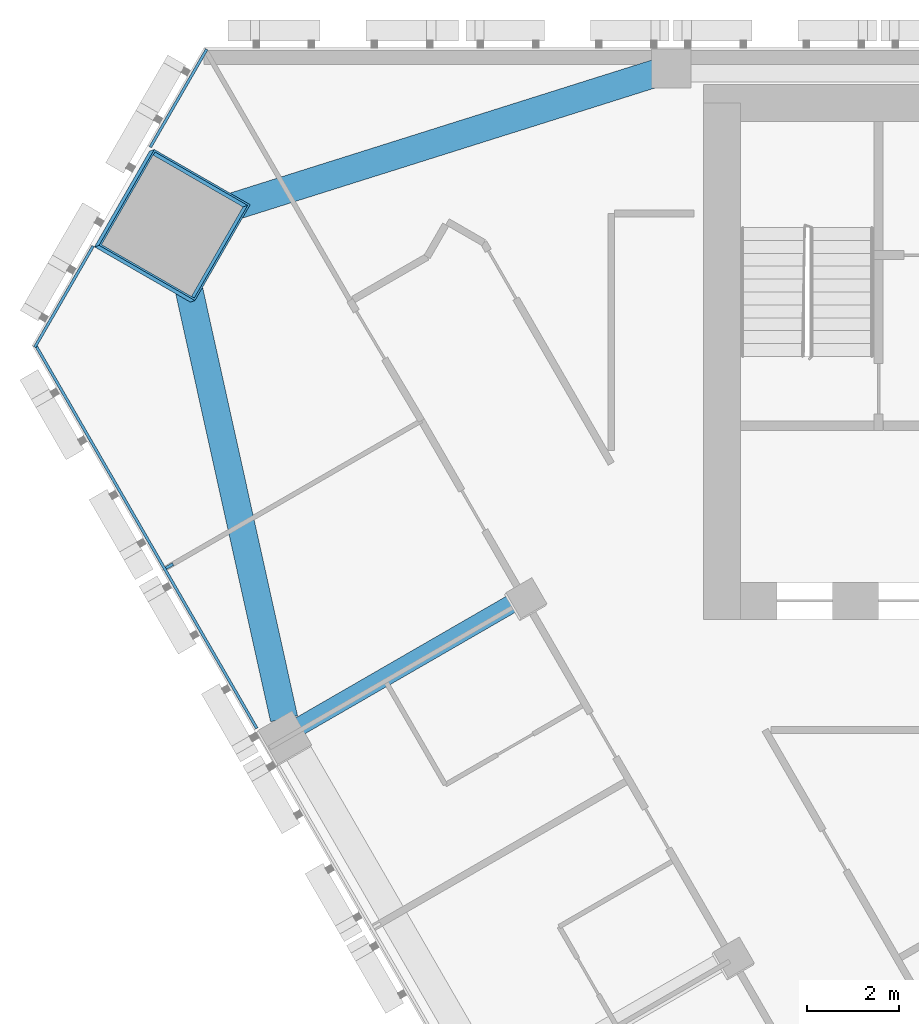
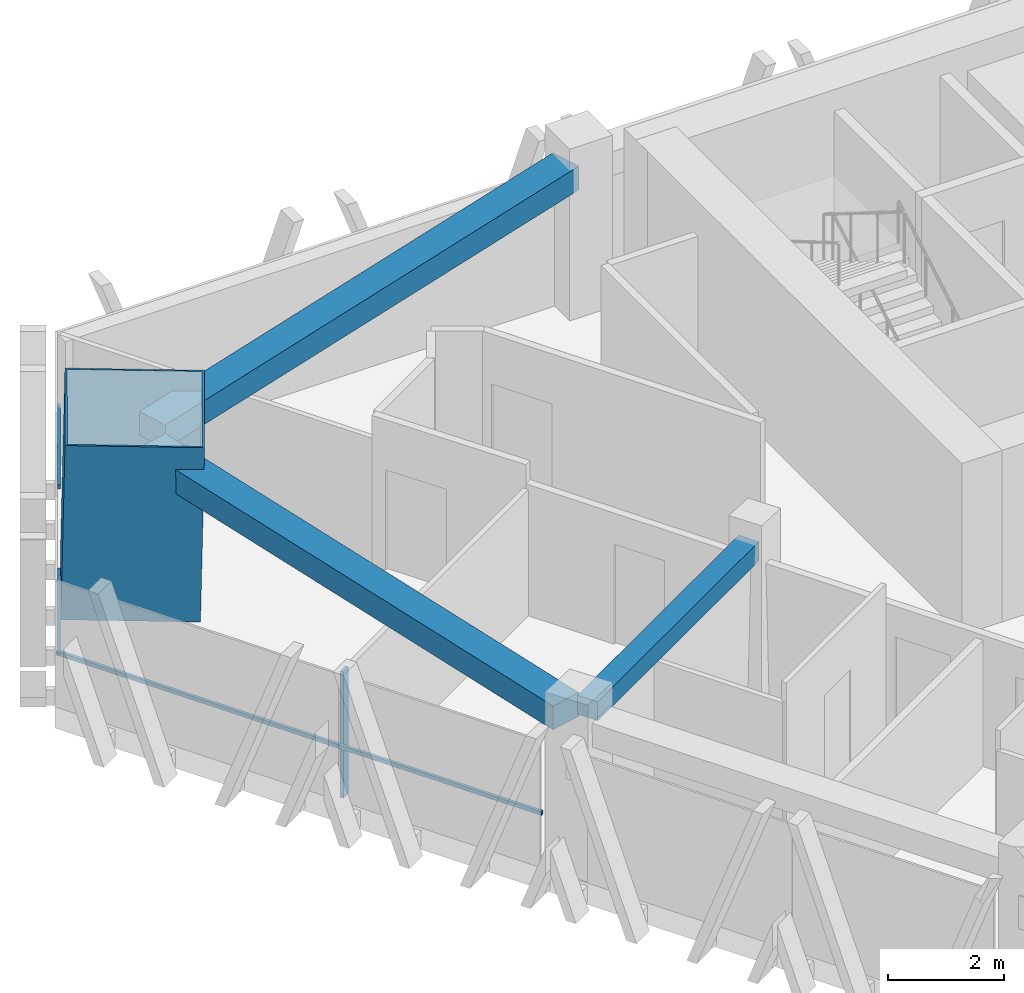
# One storey, part 5 of 16: 5 members, 3 beams, 2 elements without a shape of their own.
"""IFC4 building model written with IfcOpenShell, lengths in metres."""

from ifc_helpers import new_model, si_unit, direction, frame, origin, origin_2d, place, context, subcontext, project, spatial, rectangle, hollow_rectangle, extrude, material, layer, layer_set, material_profile, profile_set, type_object, element, aggregate, save


model = new_model("IFC4")

# Units and contexts
model_context = context("Model", 3, precision=1e-05, world=origin(), true_north=direction((0.0, 1.0)))
body_context = subcontext(model_context, "Body", "Model", "MODEL_VIEW")
ifc_project = project(units=[si_unit("LENGTHUNIT", "METRE"), si_unit("AREAUNIT", "SQUARE_METRE"), si_unit("VOLUMEUNIT", "CUBIC_METRE"), si_unit("PLANEANGLEUNIT", "RADIAN"), si_unit("MASSUNIT", "GRAM", prefix="KILO")], contexts=[model_context])

# Site, building, storey
site_placement = place(None, origin())
site = spatial("IfcSite", under=ifc_project, at=site_placement, CompositionType="ELEMENT")
building_placement = place(site_placement, origin())
building = spatial("IfcBuilding", under=site, at=building_placement, Name="Altiplano Prism Tower", CompositionType="ELEMENT")
storey_placement = place(building_placement, frame((0.0, 0.0, 145.800048828125)))
storey = spatial("IfcBuildingStorey", under=building, at=storey_placement, Name="L37", CompositionType="ELEMENT", Elevation=145.800048828125)

# Curtain wall, member
ifc_material_1 = material(Name="Aluminium and glass", Category="aluminium")
ifc_layer = layer(ifc_material_1, 0.280029296875)
ifc_layer_set = layer_set([ifc_layer], Name="Aluminium and glass")
curtain_wall_type = type_object("IfcCurtainWallType", Name="CW1 typical co-living unitised curtain wall", PredefinedType="NOTDEFINED", material=ifc_layer_set)
curtain_wall_1_placement = place(storey_placement, origin())
curtain_wall_1 = element("IfcCurtainWall", 1, at=curtain_wall_1_placement, inside=storey, type_object=curtain_wall_type, Name="CW1 curtain wall south-west face L37", PredefinedType="NOTDEFINED")
ifc_material_2 = material(Name="Aluminium", Category="aluminium")
ifc_material_profile_1 = material_profile(ifc_material_2, rectangle(XDim=0.179931640625, YDim=0.06494140625, at=origin_2d()), Name="CW1 mullion 65 x 180")
ifc_profile_set_1 = profile_set([ifc_material_profile_1], Name="Aluminium")
member_type_1 = type_object("IfcMemberType", Name="CW1 mullion 65 x 180", PredefinedType="MULLION", material=ifc_profile_set_1)
member_1_placement = place(storey_placement, frame((60.61767578125, 93.75537109375, 0.0), z_axis=(0.0, 0.0, 1.0), x_axis=(0.866025402249, 0.50000000266, 0.0)))
member_1 = element("IfcMember", 2, at=member_1_placement, type_object=member_type_1, Name="CW1 mullion", PredefinedType="MULLION", context=body_context, shape_type="SweptSolid", body=[
    extrude(rectangle(XDim=0.179931640625, YDim=0.06494140625, at=origin_2d()), origin(), (0.0, 0.0, 1.0), 2.64990234375),
])

# Curtain wall, members
curtain_wall_2_placement = place(storey_placement, origin())
curtain_wall_2 = element("IfcCurtainWall", 3, at=curtain_wall_2_placement, inside=storey, type_object=curtain_wall_type, Name="CW1 curtain wall north-west chamfer L37", PredefinedType="NOTDEFINED")
ifc_material_profile_2 = material_profile(ifc_material_2, rectangle(XDim=0.06005859375, YDim=0.080078125, at=origin_2d()), Name="CW1 transom 80 x 60")
ifc_profile_set_2 = profile_set([ifc_material_profile_2], Name="Aluminium")
member_type_2 = type_object("IfcMemberType", Name="CW1 transom 80 x 60", PredefinedType="USERDEFINED", material=ifc_profile_set_2)
member_2_placement = place(storey_placement, frame((61.4267578125, 104.965087890625, 1.099853515625), z_axis=(-0.499943856944, -0.866057815567, 0.0), x_axis=(0.866057815567, -0.499943856944, 0.0)))
member_2 = element("IfcMember", 4, at=member_2_placement, type_object=member_type_2, Name="CW1 transom", ObjectType="TRANSOM", PredefinedType="USERDEFINED", context=body_context, shape_type="SweptSolid", body=[
    extrude(rectangle(XDim=0.06005859375, YDim=0.080078125, at=origin_2d()), origin(), (0.0, 0.0, 1.0), 2.449951171875),
])
member_3_placement = place(storey_placement, frame((58.9619140625, 100.695556640625, 1.099853515625), z_axis=(-0.500020359676, -0.866013648801, 0.0), x_axis=(0.866013648801, -0.500020359676, 0.0)))
member_3 = element("IfcMember", 5, at=member_3_placement, type_object=member_type_2, Name="CW1 transom", ObjectType="TRANSOM", PredefinedType="USERDEFINED", context=body_context, shape_type="SweptSolid", body=[
    extrude(rectangle(XDim=0.06005859375, YDim=0.080078125, at=origin_2d()), origin(), (0.0, 0.0, 1.0), 2.5302734375),
])
aggregate(curtain_wall_2, [member_2, member_3])

# Member
member_4_placement = place(storey_placement, frame((57.69677734375, 98.574462890625, 1.099853515625), z_axis=(0.500008497191, -0.866020497873, 0.0), x_axis=(0.866020497873, 0.500008497191, 0.0)))
member_4 = element("IfcMember", 6, at=member_4_placement, type_object=member_type_2, Name="CW1 transom", ObjectType="TRANSOM", PredefinedType="USERDEFINED", context=body_context, shape_type="SweptSolid", body=[
    extrude(rectangle(XDim=0.06005859375, YDim=0.080078125, at=origin_2d()), origin(), (0.0, 0.0, 1.0), 9.629150390625),
])

aggregate(curtain_wall_1, [member_1, member_4])

# Beams
ifc_material_3 = material(Name="Concrete C60/75", Category="concrete")
ifc_material_profile_3 = material_profile(ifc_material_3, rectangle(XDim=0.60009765625, YDim=0.5, at=origin_2d()), Name="Edge beam 600x500")
ifc_profile_set_3 = profile_set([ifc_material_profile_3], Name="Concrete C60/75")
beam_type_1 = type_object("IfcBeamType", Name="Edge beam 600x500", PredefinedType="SPANDREL", material=ifc_profile_set_3)
beam_1_placement = place(storey_placement, frame((71.189453125, 104.4521484375, 2.89990234375), z_axis=(-0.953688198072, -0.300796976144, 0.0), x_axis=(0.300796976144, -0.953688198072, 0.0)))
element("IfcBeam", 7, at=beam_1_placement, inside=storey, type_object=beam_type_1, Name="Edge beam P04-M0 L38", PredefinedType="SPANDREL", context=body_context, shape_type="SweptSolid", body=[
    extrude(rectangle(XDim=0.60009765625, YDim=0.5, at=origin_2d()), origin(), (0.0, 0.0, 1.0), 10.51806640625),
])
beam_2_placement = place(storey_placement, frame((60.82666015625, 100.713623046875, 2.89990234375), z_axis=(0.216357770192, -0.976314147843, 0.0), x_axis=(0.976314147843, 0.216357770192, 0.0)))
element("IfcBeam", 8, at=beam_2_placement, inside=storey, type_object=beam_type_1, Name="Edge beam M0-P11 L38", PredefinedType="SPANDREL", context=body_context, shape_type="SweptSolid", body=[
    extrude(rectangle(XDim=0.60009765625, YDim=0.5, at=origin_2d()), origin(), (0.0, 0.0, 1.0), 10.517822265625),
])

# Member
ifc_material_4 = material(Name="Steel S460", Category="steel")
ifc_material_profile_4 = material_profile(ifc_material_4, hollow_rectangle(XDim=2.39990234375, YDim=2.39990234375, WallThickness=0.0400390625, at=origin_2d()), Name="Mega column tube 2400")
ifc_profile_set_4 = profile_set([ifc_material_profile_4], Name="Steel S460")
member_type_3 = type_object("IfcMemberType", Name="Mega column tube 2400", PredefinedType="POST", material=ifc_profile_set_4)
member_5_placement = place(storey_placement, frame((60.626953125, 101.11962890625, 0.0), z_axis=(0.028403721265, 0.009287135593, 0.999553389135), x_axis=(-0.866201877506, 0.49929479911, 0.019975259356)))
element("IfcMember", 9, at=member_5_placement, inside=storey, type_object=member_type_3, Name="Mega column tube M0 L37", PredefinedType="POST", context=body_context, shape_type="SweptSolid", body=[
    extrude(hollow_rectangle(XDim=2.39990234375, YDim=2.39990234375, WallThickness=0.0400390625, at=origin_2d()), origin(), (0.0, 0.0, 1.0), 3.6015625),
])

# Beam
ifc_material_profile_5 = material_profile(ifc_material_3, rectangle(XDim=0.39990234375, YDim=0.39990234375, at=origin_2d()), Name="Tie beam 400x400")
ifc_profile_set_5 = profile_set([ifc_material_profile_5], Name="Concrete C60/75")
beam_type_2 = type_object("IfcBeamType", Name="Tie beam 400x400", PredefinedType="BEAM", material=ifc_profile_set_5)
beam_3_placement = place(storey_placement, frame((68.23486328125, 93.04931640625, 2.949951171875), z_axis=(-0.866027073272, -0.499997108352, 0.0), x_axis=(0.499997108352, -0.866027073272, 0.0)))
element("IfcBeam", 10, at=beam_3_placement, inside=storey, type_object=beam_type_2, Name="Tie beam I11 L38", PredefinedType="BEAM", context=body_context, shape_type="SweptSolid", body=[
    extrude(rectangle(XDim=0.39990234375, YDim=0.39990234375, at=origin_2d()), origin(), (0.0, 0.0, 1.0), 5.5400390625),
])

save(model, "model.ifc")
